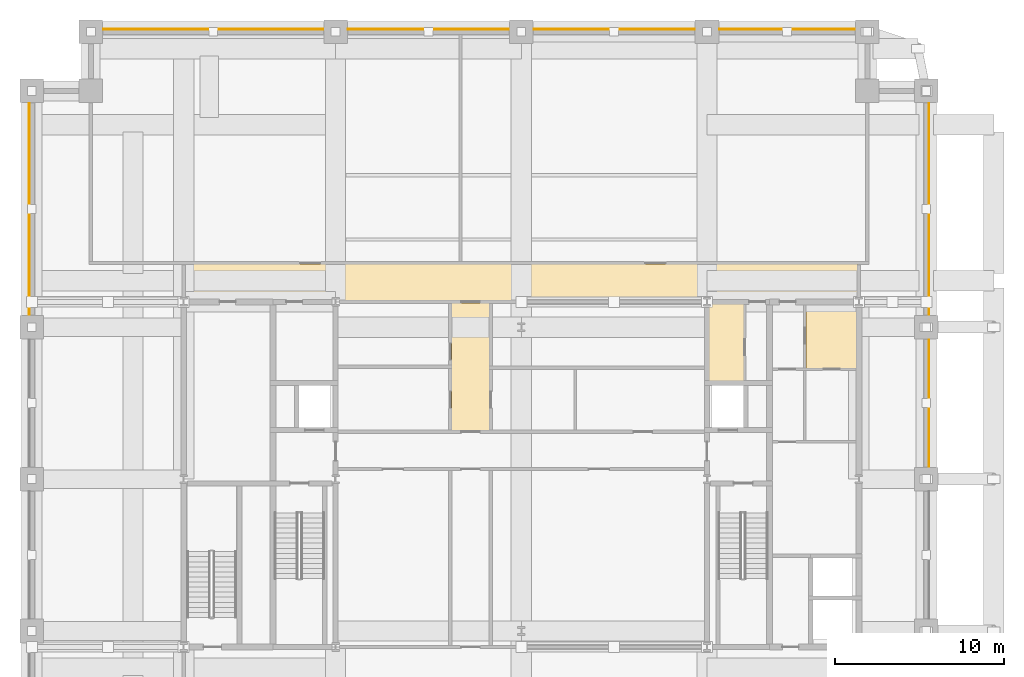
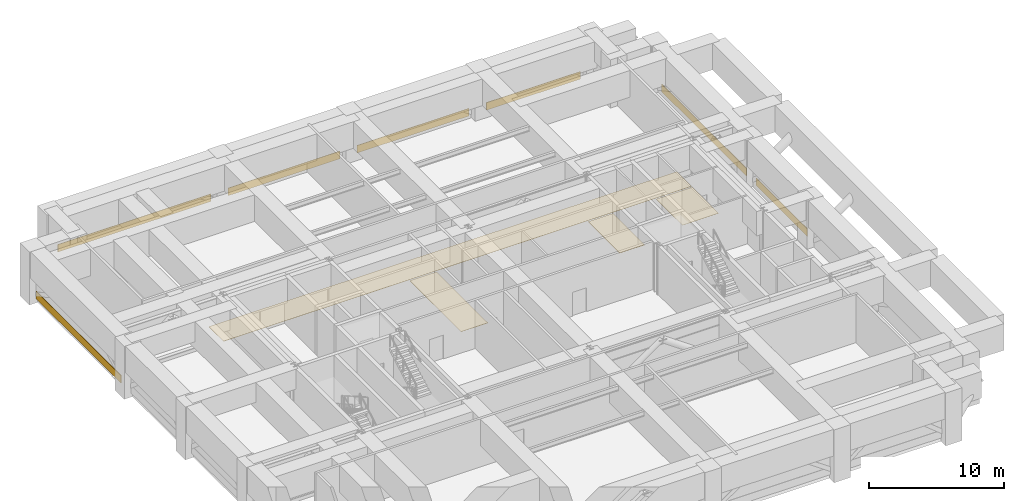
# One storey, part 10 of 10: 11 coverings.
"""IFC4 building model written with IfcOpenShell, lengths in metres."""

from ifc_helpers import new_model, si_unit, direction, frame, frame_2d, origin, place, context, subcontext, project, spatial, polyline, rectangle, outline, extrude, material, layer, layer_set, type_object, element, save


model = new_model("IFC4")

# Units and contexts
model_context = context("Model", 3, precision=1e-05, world=origin(), true_north=direction((0.0, 1.0)))
body_context = subcontext(model_context, "Body", "Model", "MODEL_VIEW")
ifc_project = project(units=[si_unit("LENGTHUNIT", "METRE"), si_unit("AREAUNIT", "SQUARE_METRE"), si_unit("VOLUMEUNIT", "CUBIC_METRE"), si_unit("PLANEANGLEUNIT", "RADIAN"), si_unit("MASSUNIT", "GRAM", prefix="KILO")], contexts=[model_context])

# Site, building, storey
site_placement = place(None, origin())
site = spatial("IfcSite", under=ifc_project, at=site_placement, CompositionType="ELEMENT")
building_placement = place(site_placement, origin())
building = spatial("IfcBuilding", under=site, at=building_placement, Name="Zulmaris Gate Convention Tower", CompositionType="ELEMENT")
storey_placement = place(building_placement, frame((0.0, 0.0, 82.179931640625)))
storey = spatial("IfcBuildingStorey", under=building, at=storey_placement, Name="L20", CompositionType="ELEMENT", Elevation=82.179931640625)

# Coverings
ifc_material_1 = material(Name="Precast concrete C40/50", Category="concrete")
ifc_layer_1 = layer(ifc_material_1, 0.0400390625, Name="Precast concrete C40/50")
ifc_layer_set_1 = layer_set([ifc_layer_1], Name="Precast concrete C40/50")
covering_type_1 = type_object("IfcCoveringType", Name="CLAD-SPANDREL-PRECAST", PredefinedType="CLADDING", material=ifc_layer_set_1)
covering_1_placement = place(storey_placement, frame((-11.72998046875, 26.64990234375, 0.0), z_axis=(0.0, 0.0, 1.0), x_axis=(-1.0, 0.0, 0.0)))
element("IfcCovering", 1, at=covering_1_placement, inside=storey, type_object=covering_type_1, Name="CLD-L20-N-0_0", PredefinedType="CLADDING", context=body_context, shape_type="SweptSolid", body=[
    extrude(rectangle(XDim=13.0400390625, YDim=0.0400390625, at=frame_2d((6.52001953125, 0.0))), origin(), (0.0, 0.0, 1.0), 0.679931640625),
])
for number, where, z_axis, x_axis, name in (
    (2, (-0.72998046875, 26.64990234375, 0.0), (0.0, 0.0, 1.0), (-1.0, 0.0, 0.0), "CLD-L20-N-1_0"),
    (3, (10.27001953125, 26.64990234375, 0.0), (0.0, 0.0, 1.0), (-1.0, 0.0, 0.0), "CLD-L20-N-2_0"),
):
    element("IfcCovering", number, at=place(storey_placement, frame(where, z_axis=z_axis, x_axis=x_axis)), inside=storey, type_object=covering_type_1, Name=name, PredefinedType="CLADDING", context=body_context, shape_type="SweptSolid", body=[
        extrude(rectangle(XDim=9.5400390625, YDim=0.0400390625, at=frame_2d((4.77001953125, 0.0))), origin(), (0.0, 0.0, 1.0), 0.679931640625),
    ])
covering_2_placement = place(storey_placement, frame((19.77001953125, 26.64990234375, 0.0), z_axis=(0.0, 0.0, 1.0), x_axis=(-1.0, 0.0, 0.0)))
element("IfcCovering", 4, at=covering_2_placement, inside=storey, type_object=covering_type_1, Name="CLD-L20-N-3_0", PredefinedType="CLADDING", context=body_context, shape_type="SweptSolid", body=[
    extrude(rectangle(XDim=8.0400390625, YDim=0.0400390625, at=frame_2d((4.02001953125, 0.0))), origin(), (0.0, 0.0, 1.0), 0.679931640625),
])
covering_3_placement = place(storey_placement, frame((24.14990234375, 0.72998046875, 0.0), z_axis=(0.0, 0.0, 1.0), x_axis=(0.0, 1.0, 0.0)))
element("IfcCovering", 5, at=covering_3_placement, inside=storey, type_object=covering_type_1, Name="CLD-L20-E-2_0", PredefinedType="CLADDING", context=body_context, shape_type="SweptSolid", body=[
    extrude(rectangle(XDim=7.5400390625, YDim=0.0400390625, at=frame_2d((3.77001953125, 0.0))), origin(), (0.0, 0.0, 1.0), 0.679931640625),
])
for number, where, z_axis, x_axis, name in (
    (6, (24.14990234375, 9.72998046875, 0.0), (0.0, 0.0, 1.0), (0.0, 1.0, 0.0), "CLD-L20-E-3_0"),
    (7, (-29.14990234375, 22.27001953125, 0.0), (0.0, 0.0, 1.0), (0.0, -1.0, 0.0), "CLD-L20-W-3_0"),
):
    element("IfcCovering", number, at=place(storey_placement, frame(where, z_axis=z_axis, x_axis=x_axis)), inside=storey, type_object=covering_type_1, Name=name, PredefinedType="CLADDING", context=body_context, shape_type="SweptSolid", body=[
        extrude(rectangle(XDim=12.5400390625, YDim=0.0400390625, at=frame_2d((6.27001953125, 0.0))), origin(), (0.0, 0.0, 1.0), 0.679931640625),
    ])
ifc_material_2 = material(Name="Woven Acoustic Wool Carpet Tile")
ifc_layer_2 = layer(ifc_material_2, 0.02001953125, Name="Woven Acoustic Wool Carpet Tile")
ifc_layer_set_2 = layer_set([ifc_layer_2], Name="Woven Acoustic Wool Carpet Tile")
covering_type_2 = type_object("IfcCoveringType", Name="FLR-CARPET-12", PredefinedType="FLOORING", material=ifc_layer_set_2)
covering_4_placement = place(storey_placement, origin())
element("IfcCovering", 8, at=covering_4_placement, inside=storey, type_object=covering_type_2, Name="FLR-L20-R12", PredefinedType="FLOORING", context=body_context, shape_type="SweptSolid", body=[
    extrude(outline(polyline([(11.06005859375, 5.760009765625), (13.18994140625, 5.760009765625), (13.18994140625, 10.43994140625), (11.06005859375, 10.43994140625), (11.06005859375, 5.760009765625)])), origin(), (0.0, 0.0, 1.0), 0.02001953125),
])
covering_5_placement = place(storey_placement, origin())
element("IfcCovering", 9, at=covering_5_placement, inside=storey, type_object=covering_type_2, Name="FLR-L20-R23", PredefinedType="FLOORING", context=body_context, shape_type="SweptSolid", body=[
    extrude(outline(polyline([(16.860107421875, 6.56005859375), (19.93994140625, 6.56005859375), (19.93994140625, 10.43994140625), (16.860107421875, 10.43994140625), (16.860107421875, 6.56005859375)])), origin(), (0.0, 0.0, 1.0), 0.02001953125),
])
covering_6_placement = place(storey_placement, origin())
element("IfcCovering", 10, at=covering_6_placement, inside=storey, type_object=covering_type_2, Name="FLR-L20-R26", PredefinedType="FLOORING", context=body_context, shape_type="SweptSolid", body=[
    extrude(outline(polyline([(-4.139892578125, 2.860107421875), (-1.860107421875, 2.860107421875), (-1.860107421875, 10.43994140625), (-4.139892578125, 10.43994140625), (-4.139892578125, 2.860107421875)])), origin(), (0.0, 0.0, 1.0), 0.02001953125),
])
covering_7_placement = place(storey_placement, origin())
element("IfcCovering", 11, at=covering_7_placement, inside=storey, type_object=covering_type_2, Name="FLR-L20-R28", PredefinedType="FLOORING", context=body_context, shape_type="SweptSolid", body=[
    extrude(outline(polyline([(-19.93994140625, 10.56005859375), (19.93994140625, 10.56005859375), (19.93994140625, 12.739990234375), (-19.93994140625, 12.739990234375), (-19.93994140625, 10.56005859375)])), origin(), (0.0, 0.0, 1.0), 0.02001953125),
])

save(model, "model.ifc")
